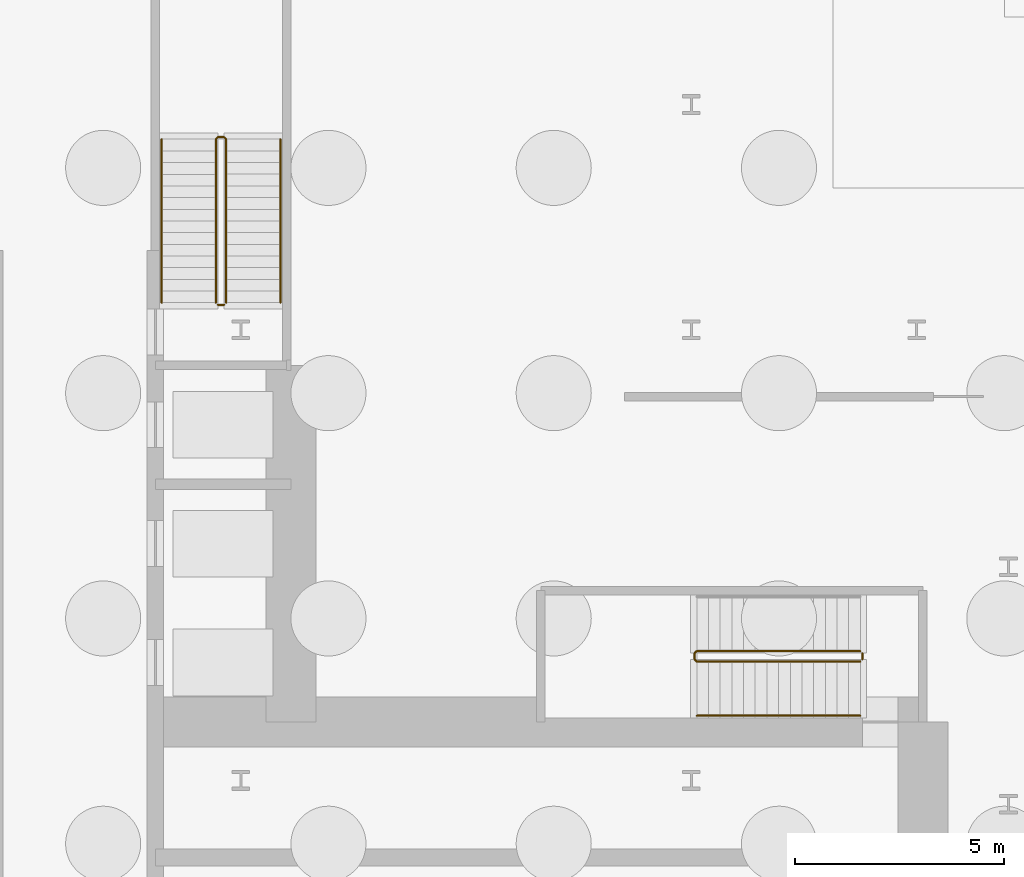
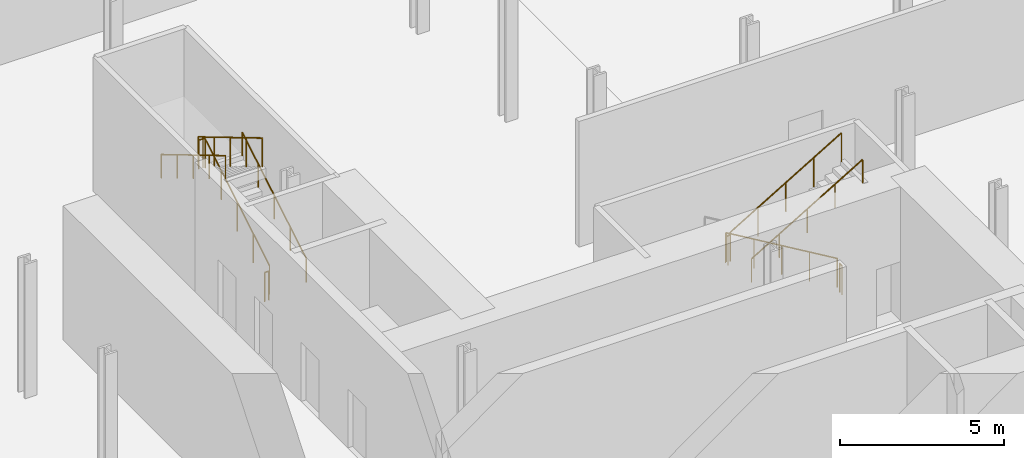
# One storey, part 20 of 23: 7 railings.
"""IFC4 building model written with IfcOpenShell, lengths in metres."""

from ifc_helpers import new_model, si_unit, direction, frame, origin, origin_2d, place, context, subcontext, project, spatial, circle, extrude, material, type_object, element, save


model = new_model("IFC4")

# Units and contexts
model_context = context("Model", 3, precision=1e-05, world=origin(), true_north=direction((0.0, 1.0)))
body_context = subcontext(model_context, "Body", "Model", "MODEL_VIEW")
ifc_project = project(units=[si_unit("LENGTHUNIT", "METRE"), si_unit("AREAUNIT", "SQUARE_METRE"), si_unit("VOLUMEUNIT", "CUBIC_METRE"), si_unit("PLANEANGLEUNIT", "RADIAN"), si_unit("MASSUNIT", "GRAM", prefix="KILO")], contexts=[model_context])

# Site, building, storey
site_placement = place(None, origin())
site = spatial("IfcSite", under=ifc_project, at=site_placement, CompositionType="ELEMENT")
building_placement = place(site_placement, origin())
building = spatial("IfcBuilding", under=site, at=building_placement, Name="Kheshtan School and Residences Tower", CompositionType="ELEMENT")
storey_placement = place(building_placement, frame((0.0, 0.0, -15.0)))
storey = spatial("IfcBuildingStorey", under=building, at=storey_placement, Name="B3", CompositionType="ELEMENT", Elevation=-15.0)

# Railings
ifc_material_1 = material(Name="Stainless steel balustrade", Category="steel")
railing_type_1 = type_object("IfcRailingType", Name="Stair guard 1100", PredefinedType="GUARDRAIL", material=ifc_material_1)
railing_1_placement = place(storey_placement, frame((51.64990234375, 37.89990234375, 0.166748046875)))
element("IfcRailing", 1, at=railing_1_placement, inside=storey, type_object=railing_type_1, Name="B3 ST1 stair guard 1", PredefinedType="GUARDRAIL", context=body_context, shape_type="SweptSolid", body=[
    extrude(circle(Radius=0.02392578125, at=origin_2d()), frame((0.0, 0.0, 1.076171875), z_axis=(-0.859296244711, 0.0, 0.511478214419), x_axis=(0.0, -1.0, 0.0)), (0.0, 0.0, 1.0), 4.561767578125),
    extrude(circle(Radius=0.02392578125, at=origin_2d()), frame((-3.919921875, 0.0, 3.4091796875), z_axis=(-0.708833529934, -0.705375805398, 0.0), x_axis=(0.705375805398, -0.708833529934, 0.0)), (0.0, 0.0, 1.0), 0.070556640625),
    extrude(circle(Radius=0.02392578125, at=origin_2d()), frame((-3.969970703125, -0.0498046875, 3.4091796875), z_axis=(0.0, -1.0, 0.0), x_axis=(1.0, 0.0, 0.0)), (0.0, 0.0, 1.0), 0.150146484375),
    extrude(circle(Radius=0.02392578125, at=origin_2d()), frame((-3.969970703125, -0.199951171875, 3.4091796875), z_axis=(0.27628659633, -0.27628659633, 0.920506074601), x_axis=(0.707106781187, 0.707106781187, 0.0)), (0.0, 0.0, 1.0), 0.18115234375),
    extrude(circle(Radius=0.02392578125, at=origin_2d()), frame((-3.919921875, -0.25, 3.576171875), z_axis=(0.859296244711, 0.0, 0.511478214419), x_axis=(0.0, 1.0, 0.0)), (0.0, 0.0, 1.0), 4.561767578125),
    extrude(circle(Radius=0.02099609375, at=origin_2d()), origin(), (0.0, 0.0, 1.0), 1.052001953125),
    extrude(circle(Radius=0.02099609375, at=origin_2d()), frame((-0.97998046875, 0.0, 0.583251953125)), (0.0, 0.0, 1.0), 1.052001953125),
    extrude(circle(Radius=0.02099609375, at=origin_2d()), frame((-1.9599609375, 0.0, 1.16650390625)), (0.0, 0.0, 1.0), 1.052001953125),
    extrude(circle(Radius=0.02099609375, at=origin_2d()), frame((-2.93994140625, 0.0, 1.75)), (0.0, 0.0, 1.0), 1.052001953125),
    extrude(circle(Radius=0.02099609375, at=origin_2d()), frame((-3.919921875, 0.0, 2.333251953125)), (0.0, 0.0, 1.0), 1.052001953125),
    extrude(circle(Radius=0.02099609375, at=origin_2d()), frame((-3.969970703125, -0.0498046875, 2.333251953125)), (0.0, 0.0, 1.0), 1.052001953125),
    extrude(circle(Radius=0.02099609375, at=origin_2d()), frame((-3.969970703125, -0.199951171875, 2.333251953125)), (0.0, 0.0, 1.0), 1.052001953125),
    extrude(circle(Radius=0.02099609375, at=origin_2d()), frame((-3.919921875, -0.25, 2.5)), (0.0, 0.0, 1.0), 1.052001953125),
    extrude(circle(Radius=0.02099609375, at=origin_2d()), frame((-2.93994140625, -0.25, 3.083251953125)), (0.0, 0.0, 1.0), 1.052001953125),
    extrude(circle(Radius=0.02099609375, at=origin_2d()), frame((-1.9599609375, -0.25, 3.66650390625)), (0.0, 0.0, 1.0), 1.052001953125),
    extrude(circle(Radius=0.02099609375, at=origin_2d()), frame((-0.97998046875, -0.25, 4.25)), (0.0, 0.0, 1.0), 1.052001953125),
    extrude(circle(Radius=0.02099609375, at=origin_2d()), frame((0.0, -0.25, 4.833251953125)), (0.0, 0.0, 1.0), 1.052001953125),
])
railing_2_placement = place(storey_placement, frame((51.699951171875, 37.85009765625, 0.0)))
element("IfcRailing", 2, at=railing_2_placement, inside=storey, type_object=railing_type_1, Name="B3 ST1 stair guard 2", PredefinedType="GUARDRAIL", context=body_context, shape_type="SweptSolid", body=[
    extrude(circle(Radius=0.02392578125, at=origin_2d()), frame((0.0, 0.0, 1.076171875), z_axis=(0.0, -1.0, 0.0), x_axis=(1.0, 0.0, 0.0)), (0.0, 0.0, 1.0), 0.150146484375),
    extrude(circle(Radius=0.02099609375, at=origin_2d()), origin(), (0.0, 0.0, 1.0), 1.052001953125),
    extrude(circle(Radius=0.02099609375, at=origin_2d()), frame((0.0, -0.150146484375, 0.0)), (0.0, 0.0, 1.0), 1.052001953125),
])
railing_3_placement = place(storey_placement, frame((36.449951171875, 46.25, 0.166748046875)))
element("IfcRailing", 3, at=railing_3_placement, inside=storey, type_object=railing_type_1, Name="B3 ST2 stair guard 1", PredefinedType="GUARDRAIL", context=body_context, shape_type="SweptSolid", body=[
    extrude(circle(Radius=0.02392578125, at=origin_2d()), frame((0.0, 0.0, 1.076171875), z_axis=(0.0, 0.859296244711, 0.511478214419), x_axis=(-1.0, 0.0, 0.0)), (0.0, 0.0, 1.0), 4.561767578125),
    extrude(circle(Radius=0.02392578125, at=origin_2d()), frame((0.0, 3.919921875, 3.4091796875), z_axis=(-0.707106781187, 0.707106781187, 0.0), x_axis=(-0.707106781187, -0.707106781187, 0.0)), (0.0, 0.0, 1.0), 0.07080078125),
    extrude(circle(Radius=0.02392578125, at=origin_2d()), frame((-0.050048828125, 3.969970703125, 3.4091796875), z_axis=(-1.0, 0.0, 0.0), x_axis=(0.0, -1.0, 0.0)), (0.0, 0.0, 1.0), 0.14990234375),
    extrude(circle(Radius=0.02392578125, at=origin_2d()), frame((-0.199951171875, 3.969970703125, 3.4091796875), z_axis=(-0.27628659633, -0.27628659633, 0.920506074601), x_axis=(0.707106781187, -0.707106781187, 0.0)), (0.0, 0.0, 1.0), 0.18115234375),
    extrude(circle(Radius=0.02392578125, at=origin_2d()), frame((-0.25, 3.919921875, 3.576171875), z_axis=(0.0, -0.859296244711, 0.511478214419), x_axis=(1.0, 0.0, 0.0)), (0.0, 0.0, 1.0), 4.561767578125),
    extrude(circle(Radius=0.02099609375, at=origin_2d()), origin(), (0.0, 0.0, 1.0), 1.052001953125),
    extrude(circle(Radius=0.02099609375, at=origin_2d()), frame((0.0, 0.97998046875, 0.583251953125)), (0.0, 0.0, 1.0), 1.052001953125),
    extrude(circle(Radius=0.02099609375, at=origin_2d()), frame((0.0, 1.9599609375, 1.16650390625)), (0.0, 0.0, 1.0), 1.052001953125),
    extrude(circle(Radius=0.02099609375, at=origin_2d()), frame((0.0, 2.93994140625, 1.75)), (0.0, 0.0, 1.0), 1.052001953125),
    extrude(circle(Radius=0.02099609375, at=origin_2d()), frame((0.0, 3.919921875, 2.333251953125)), (0.0, 0.0, 1.0), 1.052001953125),
    extrude(circle(Radius=0.02099609375, at=origin_2d()), frame((-0.050048828125, 3.969970703125, 2.333251953125)), (0.0, 0.0, 1.0), 1.052001953125),
    extrude(circle(Radius=0.02099609375, at=origin_2d()), frame((-0.199951171875, 3.969970703125, 2.333251953125)), (0.0, 0.0, 1.0), 1.052001953125),
    extrude(circle(Radius=0.02099609375, at=origin_2d()), frame((-0.25, 3.919921875, 2.5)), (0.0, 0.0, 1.0), 1.052001953125),
    extrude(circle(Radius=0.02099609375, at=origin_2d()), frame((-0.25, 2.93994140625, 3.083251953125)), (0.0, 0.0, 1.0), 1.052001953125),
    extrude(circle(Radius=0.02099609375, at=origin_2d()), frame((-0.25, 1.9599609375, 3.66650390625)), (0.0, 0.0, 1.0), 1.052001953125),
    extrude(circle(Radius=0.02099609375, at=origin_2d()), frame((-0.25, 0.97998046875, 4.25)), (0.0, 0.0, 1.0), 1.052001953125),
    extrude(circle(Radius=0.02099609375, at=origin_2d()), frame((-0.25, 0.0, 4.833251953125)), (0.0, 0.0, 1.0), 1.052001953125),
])
railing_4_placement = place(storey_placement, frame((36.39990234375, 46.199951171875, 0.0)))
element("IfcRailing", 4, at=railing_4_placement, inside=storey, type_object=railing_type_1, Name="B3 ST2 stair guard 2", PredefinedType="GUARDRAIL", context=body_context, shape_type="SweptSolid", body=[
    extrude(circle(Radius=0.02392578125, at=origin_2d()), frame((0.0, 0.0, 1.076171875), z_axis=(-1.0, 0.0, 0.0), x_axis=(0.0, -1.0, 0.0)), (0.0, 0.0, 1.0), 0.14990234375),
    extrude(circle(Radius=0.02099609375, at=origin_2d()), origin(), (0.0, 0.0, 1.0), 1.052001953125),
    extrude(circle(Radius=0.02099609375, at=origin_2d()), frame((-0.14990234375, 0.0, 0.0)), (0.0, 0.0, 1.0), 1.052001953125),
])
ifc_material_2 = material(Name="Stainless steel handrail", Category="steel")
railing_type_2 = type_object("IfcRailingType", Name="Stair handrail 900", PredefinedType="HANDRAIL", material=ifc_material_2)
railing_5_placement = place(storey_placement, frame((47.72998046875, 36.35009765625, 2.666748046875)))
element("IfcRailing", 5, at=railing_5_placement, inside=storey, type_object=railing_type_2, Name="B3 ST1 stair handrail 2", PredefinedType="HANDRAIL", context=body_context, shape_type="SweptSolid", body=[
    extrude(circle(Radius=0.02392578125, at=origin_2d()), frame((0.0, 0.0, 0.8759765625), z_axis=(0.859296244711, 0.0, 0.511478214419), x_axis=(0.0, 1.0, 0.0)), (0.0, 0.0, 1.0), 4.561767578125),
    extrude(circle(Radius=0.02099609375, at=origin_2d()), origin(), (0.0, 0.0, 1.0), 0.851806640625),
    extrude(circle(Radius=0.02099609375, at=origin_2d()), frame((0.97998046875, 0.0, 0.583251953125)), (0.0, 0.0, 1.0), 0.851806640625),
    extrude(circle(Radius=0.02099609375, at=origin_2d()), frame((1.9599609375, 0.0, 1.16650390625)), (0.0, 0.0, 1.0), 0.851806640625),
    extrude(circle(Radius=0.02099609375, at=origin_2d()), frame((2.93994140625, 0.0, 1.75)), (0.0, 0.0, 1.0), 0.851806640625),
    extrude(circle(Radius=0.02099609375, at=origin_2d()), frame((3.919921875, 0.0, 2.333251953125)), (0.0, 0.0, 1.0), 0.851806640625),
])
railing_6_placement = place(storey_placement, frame((37.75, 46.25, 0.166748046875)))
element("IfcRailing", 6, at=railing_6_placement, inside=storey, type_object=railing_type_2, Name="B3 ST2 stair handrail 1", PredefinedType="HANDRAIL", context=body_context, shape_type="SweptSolid", body=[
    extrude(circle(Radius=0.02392578125, at=origin_2d()), frame((0.0, 0.0, 0.8759765625), z_axis=(0.0, 0.859296244711, 0.511478214419), x_axis=(-1.0, 0.0, 0.0)), (0.0, 0.0, 1.0), 4.561767578125),
    extrude(circle(Radius=0.02099609375, at=origin_2d()), origin(), (0.0, 0.0, 1.0), 0.851806640625),
    extrude(circle(Radius=0.02099609375, at=origin_2d()), frame((0.0, 0.97998046875, 0.583251953125)), (0.0, 0.0, 1.0), 0.851806640625),
    extrude(circle(Radius=0.02099609375, at=origin_2d()), frame((0.0, 1.9599609375, 1.16650390625)), (0.0, 0.0, 1.0), 0.851806640625),
    extrude(circle(Radius=0.02099609375, at=origin_2d()), frame((0.0, 2.93994140625, 1.75)), (0.0, 0.0, 1.0), 0.851806640625),
    extrude(circle(Radius=0.02099609375, at=origin_2d()), frame((0.0, 3.919921875, 2.333251953125)), (0.0, 0.0, 1.0), 0.851806640625),
])
railing_7_placement = place(storey_placement, frame((34.89990234375, 50.169921875, 2.666748046875)))
element("IfcRailing", 7, at=railing_7_placement, inside=storey, type_object=railing_type_2, Name="B3 ST2 stair handrail 2", PredefinedType="HANDRAIL", context=body_context, shape_type="SweptSolid", body=[
    extrude(circle(Radius=0.02392578125, at=origin_2d()), frame((0.0, 0.0, 0.8759765625), z_axis=(0.0, -0.859296244711, 0.511478214419), x_axis=(1.0, 0.0, 0.0)), (0.0, 0.0, 1.0), 4.561767578125),
    extrude(circle(Radius=0.02099609375, at=origin_2d()), origin(), (0.0, 0.0, 1.0), 0.851806640625),
    extrude(circle(Radius=0.02099609375, at=origin_2d()), frame((0.0, -0.97998046875, 0.583251953125)), (0.0, 0.0, 1.0), 0.851806640625),
    extrude(circle(Radius=0.02099609375, at=origin_2d()), frame((0.0, -1.9599609375, 1.16650390625)), (0.0, 0.0, 1.0), 0.851806640625),
    extrude(circle(Radius=0.02099609375, at=origin_2d()), frame((0.0, -2.93994140625, 1.75)), (0.0, 0.0, 1.0), 0.851806640625),
    extrude(circle(Radius=0.02099609375, at=origin_2d()), frame((0.0, -3.919921875, 2.333251953125)), (0.0, 0.0, 1.0), 0.851806640625),
])

save(model, "model.ifc")
